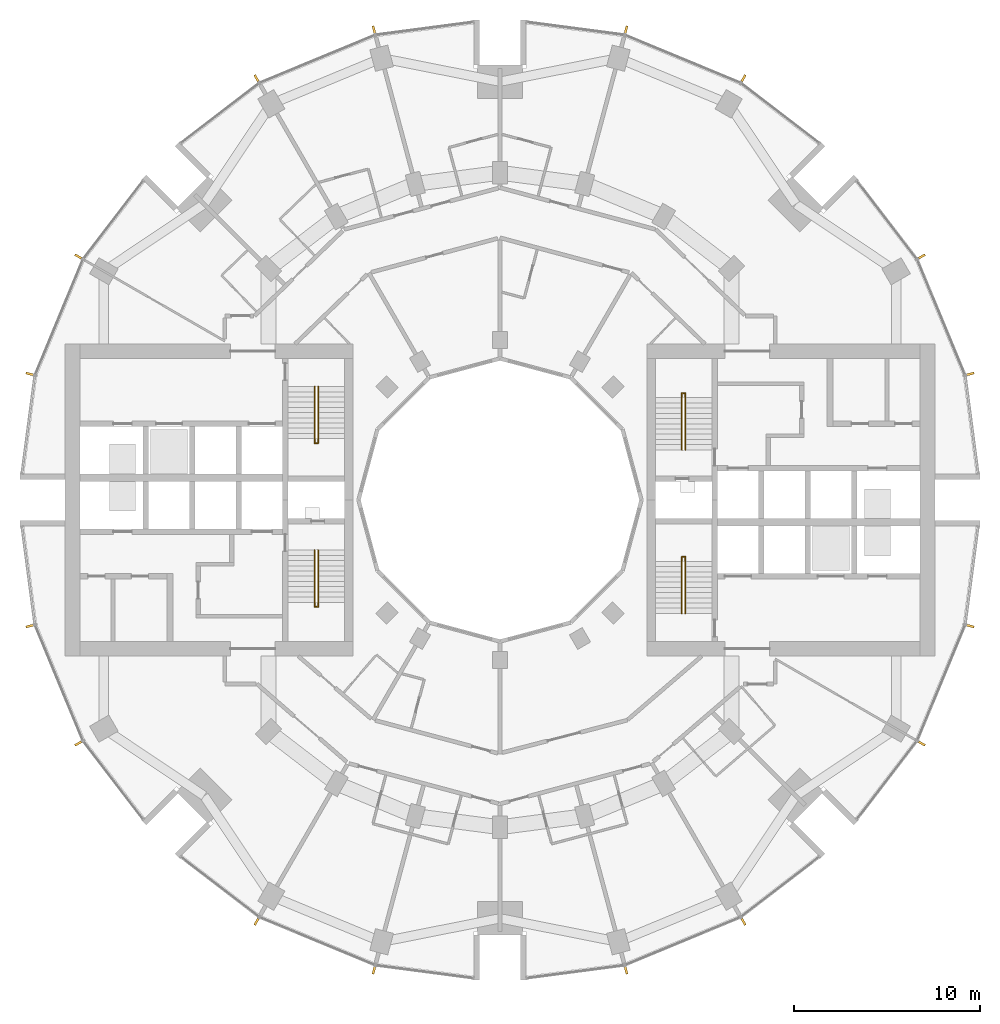
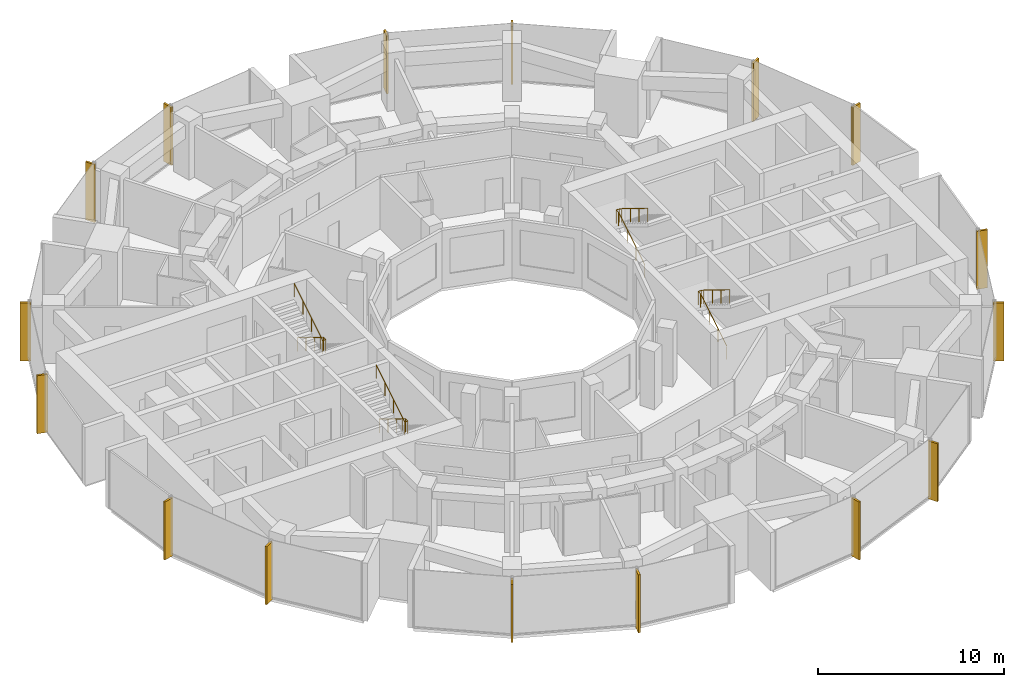
# One storey, part 14 of 15: 16 shading devices, 4 railings.
"""IFC4 building model written with IfcOpenShell, lengths in metres."""

from ifc_helpers import new_model, si_unit, direction, frame, origin, origin_2d, place, context, subcontext, project, spatial, rectangle, circle, extrude, material, material_profile, profile_set, type_object, element, save


model = new_model("IFC4")

# Units and contexts
model_context = context("Model", 3, precision=1e-05, world=origin(), true_north=direction((0.0, 1.0)))
body_context = subcontext(model_context, "Body", "Model", "MODEL_VIEW")
ifc_project = project(units=[si_unit("LENGTHUNIT", "METRE"), si_unit("AREAUNIT", "SQUARE_METRE"), si_unit("VOLUMEUNIT", "CUBIC_METRE"), si_unit("PLANEANGLEUNIT", "RADIAN"), si_unit("MASSUNIT", "GRAM", prefix="KILO")], contexts=[model_context])

# Site, building, storey
site_placement = place(None, origin())
site = spatial("IfcSite", under=ifc_project, at=site_placement, CompositionType="ELEMENT")
building_placement = place(site_placement, origin())
building = spatial("IfcBuilding", under=site, at=building_placement, Name="Torre Brocal", CompositionType="ELEMENT")
storey_placement = place(building_placement, frame((0.0, 0.0, 66.800048828125)))
storey = spatial("IfcBuildingStorey", under=building, at=storey_placement, Name="L15", CompositionType="ELEMENT", Elevation=66.800048828125)

# Shading devices
ifc_material_1 = material(Name="Aluminium, black anodised", Category="aluminium")
ifc_material_profile = material_profile(ifc_material_1, rectangle(XDim=0.1201171875, YDim=0.60009765625, at=origin_2d()), Name="FIN 120X600 3800 HIGH")
ifc_profile_set = profile_set([ifc_material_profile], Name="Aluminium, black anodised")
shading_device_type = type_object("IfcShadingDeviceType", Name="FIN 120X600 3800 HIGH", PredefinedType="USERDEFINED", material=ifc_profile_set)
for number, where, z_axis, x_axis, name in (
    (1, (105.208984375, 81.754638671875, -0.150146484375), (0.0, 0.0, 1.0), (-0.258819045103, 0.965925826289, 0.0), "FIN"),
    (2, (102.601806640625, 88.049072265625, -0.150146484375), (0.0, 0.0, 1.0), (-0.5, 0.866025403784, 0.0), "FIN"),
    (3, (93.049072265625, 97.601806640625, -0.150146484375), (0.0, 0.0, 1.0), (-0.866025403784, 0.5, 0.0), "FIN"),
    (4, (86.754638671875, 100.208984375, -0.150146484375), (0.0, 0.0, 1.0), (-0.965925826289, 0.258819045103, 0.0), "FIN"),
    (5, (73.245361328125, 100.208984375, -0.150146484375), (0.0, 0.0, 1.0), (-0.965925826289, -0.258819045103, 0.0), "FIN"),
    (6, (66.950927734375, 97.601806640625, -0.150146484375), (0.0, 0.0, 1.0), (-0.866025403784, -0.5, 0.0), "FIN"),
    (7, (57.398193359375, 88.049072265625, -0.150146484375), (0.0, 0.0, 1.0), (-0.5, -0.866025403784, 0.0), "FIN"),
    (8, (54.791015625, 81.754638671875, -0.150146484375), (0.0, 0.0, 1.0), (-0.258819045103, -0.965925826289, 0.0), "FIN"),
    (9, (54.791015625, 68.245361328125, -0.150146484375), (0.0, 0.0, 1.0), (0.258819045103, -0.965925826289, 0.0), "FIN"),
    (10, (57.398193359375, 61.950927734375, -0.150146484375), (0.0, 0.0, 1.0), (0.5, -0.866025403784, 0.0), "FIN"),
    (11, (66.950927734375, 52.398193359375, -0.150146484375), (0.0, 0.0, 1.0), (0.866025403784, -0.5, 0.0), "FIN"),
    (12, (73.245361328125, 49.791015625, -0.150146484375), (0.0, 0.0, 1.0), (0.965925826289, -0.258819045103, 0.0), "FIN"),
    (13, (86.754638671875, 49.791015625, -0.150146484375), (0.0, 0.0, 1.0), (0.965925826289, 0.258819045103, 0.0), "FIN"),
    (14, (93.049072265625, 52.398193359375, -0.150146484375), (0.0, 0.0, 1.0), (0.866025403784, 0.5, 0.0), "FIN"),
    (15, (102.601806640625, 61.950927734375, -0.150146484375), (0.0, 0.0, 1.0), (0.5, 0.866025403784, 0.0), "FIN"),
    (16, (105.208984375, 68.245361328125, -0.150146484375), (0.0, 0.0, 1.0), (0.258819045103, 0.965925826289, 0.0), "FIN"),
):
    element("IfcShadingDevice", number, at=place(storey_placement, frame(where, z_axis=z_axis, x_axis=x_axis)), inside=storey, type_object=shading_device_type, Name=name, ObjectType="FIN", PredefinedType="USERDEFINED", context=body_context, shape_type="SweptSolid", body=[
        extrude(rectangle(XDim=0.1201171875, YDim=0.60009765625, at=origin_2d()), origin(), (0.0, 0.0, 1.0), 3.800048828125),
    ])

# Railings
ifc_material_2 = material(Name="Stainless steel AISI 316", Category="steel")
railing_type = type_object("IfcRailingType", Name="STAIR HANDRAIL", PredefinedType="HANDRAIL", material=ifc_material_2)
railing_1_placement = place(storey_placement, frame((89.780029296875, 77.699951171875, 0.172607421875)))
element("IfcRailing", 17, at=railing_1_placement, inside=storey, type_object=railing_type, Name="HANDRAIL ST1", PredefinedType="HANDRAIL", context=body_context, shape_type="SweptSolid", body=[
    extrude(circle(Radius=0.02392578125, at=origin_2d()), frame((0.0, 0.0, 0.8759765625), z_axis=(0.0, 0.851089632645, 0.525020415988), x_axis=(-1.0, 0.0, 0.0)), (0.0, 0.0, 1.0), 3.2900390625),
    extrude(circle(Radius=0.02392578125, at=origin_2d()), frame((0.0, 2.800048828125, 2.60302734375), z_axis=(0.0, 1.0, 0.0), x_axis=(-1.0, 0.0, 0.0)), (0.0, 0.0, 1.0), 0.25),
    extrude(circle(Radius=0.02392578125, at=origin_2d()), frame((0.0, 3.050048828125, 2.60302734375), z_axis=(1.0, 0.0, 0.0), x_axis=(0.0, 1.0, 0.0)), (0.0, 0.0, 1.0), 0.18994140625),
    extrude(circle(Radius=0.02392578125, at=origin_2d()), frame((0.18994140625, 3.050048828125, 2.60302734375), z_axis=(0.0, -0.82253904752, 0.568708638324), x_axis=(1.0, 0.0, 0.0)), (0.0, 0.0, 1.0), 0.303955078125),
    extrude(circle(Radius=0.02392578125, at=origin_2d()), frame((0.18994140625, 2.800048828125, 2.77587890625), z_axis=(0.0, -0.851089632645, 0.525020415988), x_axis=(1.0, 0.0, 0.0)), (0.0, 0.0, 1.0), 3.2900390625),
    extrude(circle(Radius=0.02099609375, at=origin_2d()), origin(), (0.0, 0.0, 1.0), 0.851806640625),
    extrude(circle(Radius=0.02099609375, at=origin_2d()), frame((0.0, 0.933349609375, 0.57568359375)), (0.0, 0.0, 1.0), 0.851806640625),
    extrude(circle(Radius=0.02099609375, at=origin_2d()), frame((0.0, 1.86669921875, 1.151611328125)), (0.0, 0.0, 1.0), 0.851806640625),
    extrude(circle(Radius=0.02099609375, at=origin_2d()), frame((0.0, 2.800048828125, 1.727294921875)), (0.0, 0.0, 1.0), 0.851806640625),
    extrude(circle(Radius=0.02099609375, at=origin_2d()), frame((0.0, 3.050048828125, 1.727294921875)), (0.0, 0.0, 1.0), 0.851806640625),
    extrude(circle(Radius=0.02099609375, at=origin_2d()), frame((0.18994140625, 3.050048828125, 1.727294921875)), (0.0, 0.0, 1.0), 0.851806640625),
    extrude(circle(Radius=0.02099609375, at=origin_2d()), frame((0.18994140625, 2.800048828125, 1.900146484375)), (0.0, 0.0, 1.0), 0.851806640625),
    extrude(circle(Radius=0.02099609375, at=origin_2d()), frame((0.18994140625, 1.86669921875, 2.475830078125)), (0.0, 0.0, 1.0), 0.851806640625),
    extrude(circle(Radius=0.02099609375, at=origin_2d()), frame((0.18994140625, 0.933349609375, 3.0517578125)), (0.0, 0.0, 1.0), 0.851806640625),
    extrude(circle(Radius=0.02099609375, at=origin_2d()), frame((0.18994140625, 0.0, 3.62744140625)), (0.0, 0.0, 1.0), 0.851806640625),
])
railing_2_placement = place(storey_placement, frame((89.780029296875, 68.89990234375, 0.172607421875)))
element("IfcRailing", 18, at=railing_2_placement, inside=storey, type_object=railing_type, Name="HANDRAIL ST2", PredefinedType="HANDRAIL", context=body_context, shape_type="SweptSolid", body=[
    extrude(circle(Radius=0.02392578125, at=origin_2d()), frame((0.0, 0.0, 0.8759765625), z_axis=(0.0, 0.851089632645, 0.525020415988), x_axis=(-1.0, 0.0, 0.0)), (0.0, 0.0, 1.0), 3.2900390625),
    extrude(circle(Radius=0.02392578125, at=origin_2d()), frame((0.0, 2.800048828125, 2.60302734375), z_axis=(0.0, 1.0, 0.0), x_axis=(-1.0, 0.0, 0.0)), (0.0, 0.0, 1.0), 0.25),
    extrude(circle(Radius=0.02392578125, at=origin_2d()), frame((0.0, 3.050048828125, 2.60302734375), z_axis=(1.0, 0.0, 0.0), x_axis=(0.0, 1.0, 0.0)), (0.0, 0.0, 1.0), 0.18994140625),
    extrude(circle(Radius=0.02392578125, at=origin_2d()), frame((0.18994140625, 3.050048828125, 2.60302734375), z_axis=(0.0, -0.82253904752, 0.568708638324), x_axis=(1.0, 0.0, 0.0)), (0.0, 0.0, 1.0), 0.303955078125),
    extrude(circle(Radius=0.02392578125, at=origin_2d()), frame((0.18994140625, 2.800048828125, 2.77587890625), z_axis=(0.0, -0.851089632645, 0.525020415988), x_axis=(1.0, 0.0, 0.0)), (0.0, 0.0, 1.0), 3.2900390625),
    extrude(circle(Radius=0.02099609375, at=origin_2d()), origin(), (0.0, 0.0, 1.0), 0.851806640625),
    extrude(circle(Radius=0.02099609375, at=origin_2d()), frame((0.0, 0.933349609375, 0.57568359375)), (0.0, 0.0, 1.0), 0.851806640625),
    extrude(circle(Radius=0.02099609375, at=origin_2d()), frame((0.0, 1.86669921875, 1.151611328125)), (0.0, 0.0, 1.0), 0.851806640625),
    extrude(circle(Radius=0.02099609375, at=origin_2d()), frame((0.0, 2.800048828125, 1.727294921875)), (0.0, 0.0, 1.0), 0.851806640625),
    extrude(circle(Radius=0.02099609375, at=origin_2d()), frame((0.0, 3.050048828125, 1.727294921875)), (0.0, 0.0, 1.0), 0.851806640625),
    extrude(circle(Radius=0.02099609375, at=origin_2d()), frame((0.18994140625, 3.050048828125, 1.727294921875)), (0.0, 0.0, 1.0), 0.851806640625),
    extrude(circle(Radius=0.02099609375, at=origin_2d()), frame((0.18994140625, 2.800048828125, 1.900146484375)), (0.0, 0.0, 1.0), 0.851806640625),
    extrude(circle(Radius=0.02099609375, at=origin_2d()), frame((0.18994140625, 1.86669921875, 2.475830078125)), (0.0, 0.0, 1.0), 0.851806640625),
    extrude(circle(Radius=0.02099609375, at=origin_2d()), frame((0.18994140625, 0.933349609375, 3.0517578125)), (0.0, 0.0, 1.0), 0.851806640625),
    extrude(circle(Radius=0.02099609375, at=origin_2d()), frame((0.18994140625, 0.0, 3.62744140625)), (0.0, 0.0, 1.0), 0.851806640625),
])
railing_3_placement = place(storey_placement, frame((70.219970703125, 72.300048828125, 0.172607421875)))
element("IfcRailing", 19, at=railing_3_placement, inside=storey, type_object=railing_type, Name="HANDRAIL ST3", PredefinedType="HANDRAIL", context=body_context, shape_type="SweptSolid", body=[
    extrude(circle(Radius=0.02392578125, at=origin_2d()), frame((0.0, 0.0, 0.8759765625), z_axis=(0.0, -0.851089632645, 0.525020415988), x_axis=(1.0, 0.0, 0.0)), (0.0, 0.0, 1.0), 3.2900390625),
    extrude(circle(Radius=0.02392578125, at=origin_2d()), frame((0.0, -2.800048828125, 2.60302734375), z_axis=(0.0, -1.0, 0.0), x_axis=(1.0, 0.0, 0.0)), (0.0, 0.0, 1.0), 0.25),
    extrude(circle(Radius=0.02392578125, at=origin_2d()), frame((0.0, -3.050048828125, 2.60302734375), z_axis=(-1.0, 0.0, 0.0), x_axis=(0.0, -1.0, 0.0)), (0.0, 0.0, 1.0), 0.18994140625),
    extrude(circle(Radius=0.02392578125, at=origin_2d()), frame((-0.18994140625, -3.050048828125, 2.60302734375), z_axis=(0.0, 0.82253904752, 0.568708638324), x_axis=(-1.0, 0.0, 0.0)), (0.0, 0.0, 1.0), 0.303955078125),
    extrude(circle(Radius=0.02392578125, at=origin_2d()), frame((-0.18994140625, -2.800048828125, 2.77587890625), z_axis=(0.0, 0.851089632645, 0.525020415988), x_axis=(-1.0, 0.0, 0.0)), (0.0, 0.0, 1.0), 3.2900390625),
    extrude(circle(Radius=0.02099609375, at=origin_2d()), origin(), (0.0, 0.0, 1.0), 0.851806640625),
    extrude(circle(Radius=0.02099609375, at=origin_2d()), frame((0.0, -0.933349609375, 0.57568359375)), (0.0, 0.0, 1.0), 0.851806640625),
    extrude(circle(Radius=0.02099609375, at=origin_2d()), frame((0.0, -1.86669921875, 1.151611328125)), (0.0, 0.0, 1.0), 0.851806640625),
    extrude(circle(Radius=0.02099609375, at=origin_2d()), frame((0.0, -2.800048828125, 1.727294921875)), (0.0, 0.0, 1.0), 0.851806640625),
    extrude(circle(Radius=0.02099609375, at=origin_2d()), frame((0.0, -3.050048828125, 1.727294921875)), (0.0, 0.0, 1.0), 0.851806640625),
    extrude(circle(Radius=0.02099609375, at=origin_2d()), frame((-0.18994140625, -3.050048828125, 1.727294921875)), (0.0, 0.0, 1.0), 0.851806640625),
    extrude(circle(Radius=0.02099609375, at=origin_2d()), frame((-0.18994140625, -2.800048828125, 1.900146484375)), (0.0, 0.0, 1.0), 0.851806640625),
    extrude(circle(Radius=0.02099609375, at=origin_2d()), frame((-0.18994140625, -1.86669921875, 2.475830078125)), (0.0, 0.0, 1.0), 0.851806640625),
    extrude(circle(Radius=0.02099609375, at=origin_2d()), frame((-0.18994140625, -0.933349609375, 3.0517578125)), (0.0, 0.0, 1.0), 0.851806640625),
    extrude(circle(Radius=0.02099609375, at=origin_2d()), frame((-0.18994140625, 0.0, 3.62744140625)), (0.0, 0.0, 1.0), 0.851806640625),
])
railing_4_placement = place(storey_placement, frame((70.219970703125, 81.10009765625, 0.172607421875)))
element("IfcRailing", 20, at=railing_4_placement, inside=storey, type_object=railing_type, Name="HANDRAIL ST4", PredefinedType="HANDRAIL", context=body_context, shape_type="SweptSolid", body=[
    extrude(circle(Radius=0.02392578125, at=origin_2d()), frame((0.0, 0.0, 0.8759765625), z_axis=(0.0, -0.851089632645, 0.525020415988), x_axis=(1.0, 0.0, 0.0)), (0.0, 0.0, 1.0), 3.2900390625),
    extrude(circle(Radius=0.02392578125, at=origin_2d()), frame((0.0, -2.800048828125, 2.60302734375), z_axis=(0.0, -1.0, 0.0), x_axis=(1.0, 0.0, 0.0)), (0.0, 0.0, 1.0), 0.25),
    extrude(circle(Radius=0.02392578125, at=origin_2d()), frame((0.0, -3.050048828125, 2.60302734375), z_axis=(-1.0, 0.0, 0.0), x_axis=(0.0, -1.0, 0.0)), (0.0, 0.0, 1.0), 0.18994140625),
    extrude(circle(Radius=0.02392578125, at=origin_2d()), frame((-0.18994140625, -3.050048828125, 2.60302734375), z_axis=(0.0, 0.82253904752, 0.568708638324), x_axis=(-1.0, 0.0, 0.0)), (0.0, 0.0, 1.0), 0.303955078125),
    extrude(circle(Radius=0.02392578125, at=origin_2d()), frame((-0.18994140625, -2.800048828125, 2.77587890625), z_axis=(0.0, 0.851089632645, 0.525020415988), x_axis=(-1.0, 0.0, 0.0)), (0.0, 0.0, 1.0), 3.2900390625),
    extrude(circle(Radius=0.02099609375, at=origin_2d()), origin(), (0.0, 0.0, 1.0), 0.851806640625),
    extrude(circle(Radius=0.02099609375, at=origin_2d()), frame((0.0, -0.933349609375, 0.57568359375)), (0.0, 0.0, 1.0), 0.851806640625),
    extrude(circle(Radius=0.02099609375, at=origin_2d()), frame((0.0, -1.86669921875, 1.151611328125)), (0.0, 0.0, 1.0), 0.851806640625),
    extrude(circle(Radius=0.02099609375, at=origin_2d()), frame((0.0, -2.800048828125, 1.727294921875)), (0.0, 0.0, 1.0), 0.851806640625),
    extrude(circle(Radius=0.02099609375, at=origin_2d()), frame((0.0, -3.050048828125, 1.727294921875)), (0.0, 0.0, 1.0), 0.851806640625),
    extrude(circle(Radius=0.02099609375, at=origin_2d()), frame((-0.18994140625, -3.050048828125, 1.727294921875)), (0.0, 0.0, 1.0), 0.851806640625),
    extrude(circle(Radius=0.02099609375, at=origin_2d()), frame((-0.18994140625, -2.800048828125, 1.900146484375)), (0.0, 0.0, 1.0), 0.851806640625),
    extrude(circle(Radius=0.02099609375, at=origin_2d()), frame((-0.18994140625, -1.86669921875, 2.475830078125)), (0.0, 0.0, 1.0), 0.851806640625),
    extrude(circle(Radius=0.02099609375, at=origin_2d()), frame((-0.18994140625, -0.933349609375, 3.0517578125)), (0.0, 0.0, 1.0), 0.851806640625),
    extrude(circle(Radius=0.02099609375, at=origin_2d()), frame((-0.18994140625, 0.0, 3.62744140625)), (0.0, 0.0, 1.0), 0.851806640625),
])

save(model, "model.ifc")
